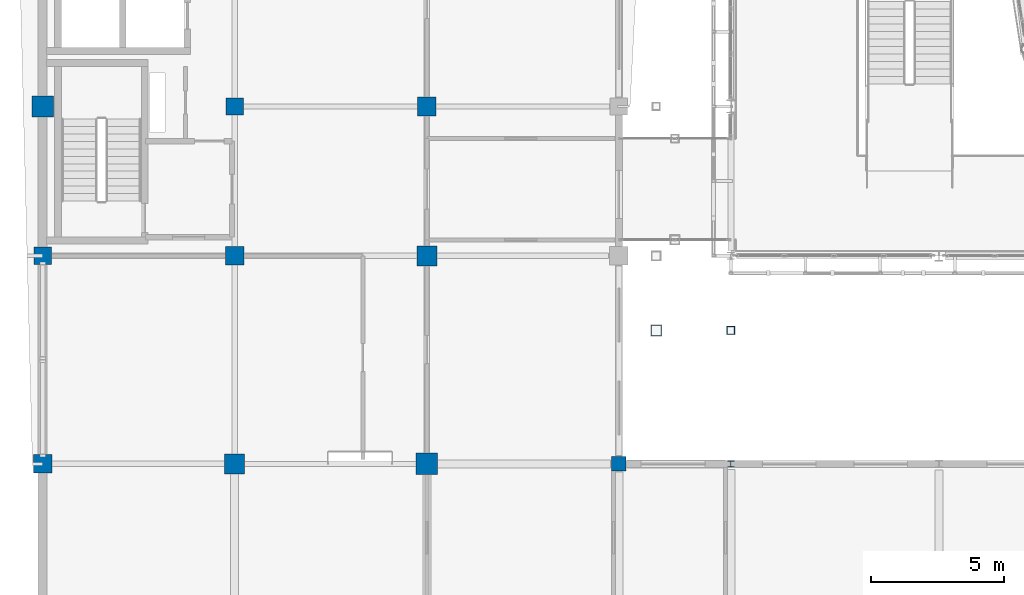
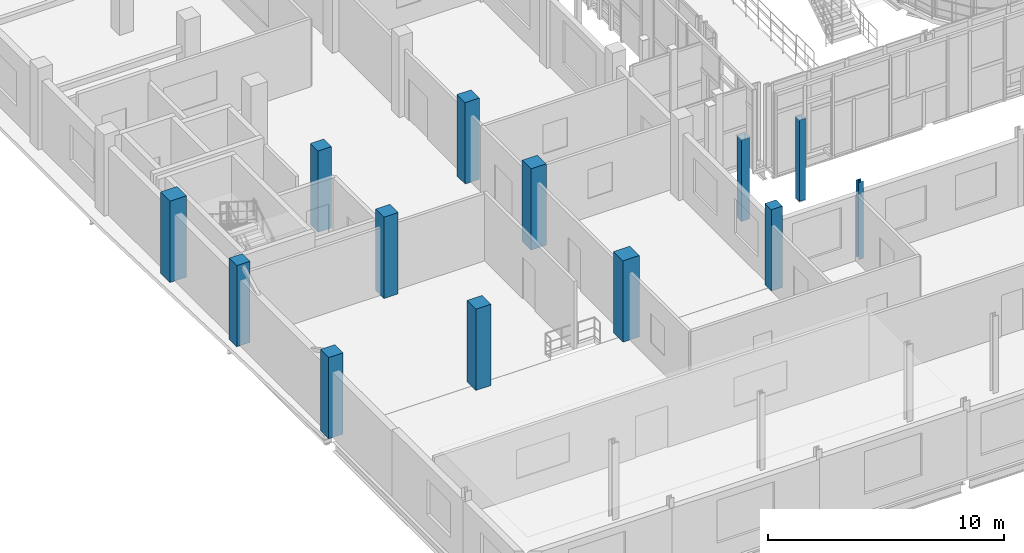
# One storey, part 2 of 121: 13 columns.
"""IFC4 building model written with IfcOpenShell, lengths in metres."""

from ifc_helpers import new_model, si_unit, direction, frame, origin, origin_2d, place, context, subcontext, project, spatial, rectangle, hollow_rectangle, i_section, extrude, material, material_profile, profile_set, type_object, element, save


model = new_model("IFC4")

# Units and contexts
model_context = context("Model", 3, precision=1e-05, world=origin(), true_north=direction((0.0, 1.0)))
body_context = subcontext(model_context, "Body", "Model", "MODEL_VIEW")
ifc_project = project(units=[si_unit("LENGTHUNIT", "METRE"), si_unit("AREAUNIT", "SQUARE_METRE"), si_unit("VOLUMEUNIT", "CUBIC_METRE"), si_unit("PLANEANGLEUNIT", "RADIAN"), si_unit("MASSUNIT", "GRAM", prefix="KILO")], contexts=[model_context])

# Site, building, storey
site_placement = place(None, origin())
site = spatial("IfcSite", under=ifc_project, at=site_placement, CompositionType="ELEMENT")
building_placement = place(site_placement, origin())
building = spatial("IfcBuilding", under=site, at=building_placement, Name="Vinh Khe Railworks Police Headquarters", CompositionType="ELEMENT")
storey_placement = place(building_placement, frame((0.0, 0.0, 4.800048828125)))
storey = spatial("IfcBuildingStorey", under=building, at=storey_placement, Name="L01", CompositionType="ELEMENT", Elevation=4.800048828125)

# Columns
ifc_material_1 = material(Name="Concrete C40/50 (B40)", Category="concrete")
ifc_material_profile_1 = material_profile(ifc_material_1, rectangle(XDim=0.550048828125, YDim=0.550048828125, at=origin_2d()), Name="RC 550x550")
ifc_profile_set_1 = profile_set([ifc_material_profile_1], Name="Concrete C40/50 (B40)")
column_type_1 = type_object("IfcColumnType", Name="RC Column RC 550x550", PredefinedType="COLUMN", material=ifc_profile_set_1)
column_1_placement = place(storey_placement, frame((22.199951171875, 17.39990234375, 0.0), z_axis=(0.0, 0.0, 1.0), x_axis=(1.0, 0.0, 0.0)))
element("IfcColumn", 1, at=column_1_placement, inside=storey, type_object=column_type_1, Name="Column COL-L01-CC-06-0510", PredefinedType="COLUMN", context=body_context, shape_type="SweptSolid", body=[
    extrude(rectangle(XDim=0.550048828125, YDim=0.550048828125, at=origin_2d()), origin(), (0.0, 0.0, 1.0), 4.199951171875),
])
ifc_material_profile_2 = material_profile(ifc_material_1, rectangle(XDim=0.64990234375, YDim=0.64990234375, at=origin_2d()), Name="RC 650x650")
ifc_profile_set_2 = profile_set([ifc_material_profile_2], Name="Concrete C40/50 (B40)")
column_type_2 = type_object("IfcColumnType", Name="RC Column RC 650x650", PredefinedType="COLUMN", material=ifc_profile_set_2)
for number, where, z_axis, x_axis, name in (
    (2, (0.60009765625, 25.199951171875, 0.0), (0.0, 0.0, 1.0), (1.0, 0.0, 0.0), "Column COL-L01-CC-04-0019"),
    (3, (7.800048828125, 30.800048828125, 0.0), (0.0, 0.0, 1.0), (1.0, 0.0, 0.0), "Column COL-L01-CC-04-0196"),
):
    element("IfcColumn", number, at=place(storey_placement, frame(where, z_axis=z_axis, x_axis=x_axis)), inside=storey, type_object=column_type_2, Name=name, PredefinedType="COLUMN", context=body_context, shape_type="SweptSolid", body=[
        extrude(rectangle(XDim=0.64990234375, YDim=0.64990234375, at=origin_2d()), origin(), (0.0, 0.0, 1.0), 4.199951171875),
    ])
ifc_material_profile_3 = material_profile(ifc_material_1, rectangle(XDim=0.699951171875, YDim=0.699951171875, at=origin_2d()), Name="RC 700x700")
ifc_profile_set_3 = profile_set([ifc_material_profile_3], Name="Concrete C40/50 (B40)")
column_type_3 = type_object("IfcColumnType", Name="RC Column RC 700x700", PredefinedType="COLUMN", material=ifc_profile_set_3)
for number, where, z_axis, x_axis, name in (
    (4, (0.60009765625, 17.39990234375, 0.0), (0.0, 0.0, 1.0), (1.0, 0.0, 0.0), "Column COL-L01-CC-03-0009"),
    (5, (7.800048828125, 25.199951171875, 0.0), (0.0, 0.0, 1.0), (1.0, 0.0, 0.0), "Column COL-L01-CC-03-0186"),
    (6, (15.0, 30.800048828125, 0.0), (0.0, 0.0, 1.0), (1.0, 0.0, 0.0), "Column COL-L01-CC-03-0363"),
):
    element("IfcColumn", number, at=place(storey_placement, frame(where, z_axis=z_axis, x_axis=x_axis)), inside=storey, type_object=column_type_3, Name=name, PredefinedType="COLUMN", context=body_context, shape_type="SweptSolid", body=[
        extrude(rectangle(XDim=0.699951171875, YDim=0.699951171875, at=origin_2d()), origin(), (0.0, 0.0, 1.0), 4.199951171875),
    ])
ifc_material_profile_4 = material_profile(ifc_material_1, rectangle(XDim=0.75, YDim=0.75, at=origin_2d()), Name="RC 750x750")
ifc_profile_set_4 = profile_set([ifc_material_profile_4], Name="Concrete C40/50 (B40)")
column_type_4 = type_object("IfcColumnType", Name="RC Column RC 750x750", PredefinedType="COLUMN", material=ifc_profile_set_4)
for number, where, z_axis, x_axis, name in (
    (7, (7.800048828125, 17.39990234375, 0.0), (0.0, 0.0, 1.0), (1.0, 0.0, 0.0), "Column COL-L01-CC-02-0176"),
    (8, (15.0, 25.199951171875, 0.0), (0.0, 0.0, 1.0), (1.0, 0.0, 0.0), "Column COL-L01-CC-02-0353"),
):
    element("IfcColumn", number, at=place(storey_placement, frame(where, z_axis=z_axis, x_axis=x_axis)), inside=storey, type_object=column_type_4, Name=name, PredefinedType="COLUMN", context=body_context, shape_type="SweptSolid", body=[
        extrude(rectangle(XDim=0.75, YDim=0.75, at=origin_2d()), origin(), (0.0, 0.0, 1.0), 4.199951171875),
    ])
ifc_material_profile_5 = material_profile(ifc_material_1, rectangle(XDim=0.800048828125, YDim=0.800048828125, at=origin_2d()), Name="RC 800x800")
ifc_profile_set_5 = profile_set([ifc_material_profile_5], Name="Concrete C40/50 (B40)")
column_type_5 = type_object("IfcColumnType", Name="RC Column RC 800x800", PredefinedType="COLUMN", material=ifc_profile_set_5)
for number, where, z_axis, x_axis, name in (
    (9, (0.60009765625, 30.800048828125, 0.0), (0.0, 0.0, 1.0), (1.0, 0.0, 0.0), "Column COL-L01-CC-01-0029"),
    (10, (15.0, 17.39990234375, 0.0), (0.0, 0.0, 1.0), (1.0, 0.0, 0.0), "Column COL-L01-CC-01-0343"),
):
    element("IfcColumn", number, at=place(storey_placement, frame(where, z_axis=z_axis, x_axis=x_axis)), inside=storey, type_object=column_type_5, Name=name, PredefinedType="COLUMN", context=body_context, shape_type="SweptSolid", body=[
        extrude(rectangle(XDim=0.800048828125, YDim=0.800048828125, at=origin_2d()), origin(), (0.0, 0.0, 1.0), 4.199951171875),
    ])
ifc_material_2 = material(Name="Steel S355JR", Category="steel")
ifc_material_profile_6 = material_profile(ifc_material_2, i_section(OverallWidth=0.239990234375, OverallDepth=0.22998046875, WebThickness=0.007568359375, FlangeThickness=0.011962890625, FilletRadius=0.02099609375, at=origin_2d()), Name="HEA 240")
ifc_profile_set_6 = profile_set([ifc_material_profile_6], Name="Steel S355JR")
column_type_6 = type_object("IfcColumnType", Name="Steel Column HEA 240", PredefinedType="COLUMN", material=ifc_profile_set_6)
column_2_placement = place(storey_placement, frame((26.39990234375, 17.39990234375, 0.0), z_axis=(0.0, 0.0, 1.0), x_axis=(1.0, 0.0, 0.0)))
element("IfcColumn", 11, at=column_2_placement, inside=storey, type_object=column_type_6, Name="Column COL-L01-SC-20-0716", PredefinedType="COLUMN", context=body_context, shape_type="SweptSolid", body=[
    extrude(i_section(OverallWidth=0.239990234375, OverallDepth=0.22998046875, WebThickness=0.007568359375, FlangeThickness=0.011962890625, FilletRadius=0.02099609375, at=origin_2d()), origin(), (0.0, 0.0, 1.0), 3.97998046875),
])
ifc_material_profile_7 = material_profile(ifc_material_2, hollow_rectangle(XDim=0.300048828125, YDim=0.300048828125, WallThickness=0.01611328125, at=origin_2d()), Name="SHS 300x300x16")
ifc_profile_set_7 = profile_set([ifc_material_profile_7], Name="Steel S355JR")
column_type_7 = type_object("IfcColumnType", Name="Steel Column SHS 300x300x16", PredefinedType="COLUMN", material=ifc_profile_set_7)
column_3_placement = place(storey_placement, frame((26.39990234375, 22.39990234375, 0.0), z_axis=(0.0, 0.0, 1.0), x_axis=(1.0, 0.0, 0.0)))
element("IfcColumn", 12, at=column_3_placement, inside=storey, type_object=column_type_7, Name="Column COL-L01-SC-23-0719", PredefinedType="COLUMN", context=body_context, shape_type="SweptSolid", body=[
    extrude(hollow_rectangle(XDim=0.300048828125, YDim=0.300048828125, WallThickness=0.01611328125, at=origin_2d()), origin(), (0.0, 0.0, 1.0), 4.199951171875),
])
ifc_material_profile_8 = material_profile(ifc_material_2, hollow_rectangle(XDim=0.39990234375, YDim=0.39990234375, WallThickness=0.02001953125, at=origin_2d()), Name="SHS 400x400x20")
ifc_profile_set_8 = profile_set([ifc_material_profile_8], Name="Steel S355JR")
column_type_8 = type_object("IfcColumnType", Name="Steel Column SHS 400x400x20", PredefinedType="COLUMN", material=ifc_profile_set_8)
column_4_placement = place(storey_placement, frame((23.60009765625, 22.39990234375, 0.0), z_axis=(0.0, 0.0, 1.0), x_axis=(1.0, 0.0, 0.0)))
element("IfcColumn", 13, at=column_4_placement, inside=storey, type_object=column_type_8, Name="Column COL-L01-SC-21-0657", PredefinedType="COLUMN", context=body_context, shape_type="SweptSolid", body=[
    extrude(hollow_rectangle(XDim=0.39990234375, YDim=0.39990234375, WallThickness=0.02001953125, at=origin_2d()), origin(), (0.0, 0.0, 1.0), 4.199951171875),
])

save(model, "model.ifc")
